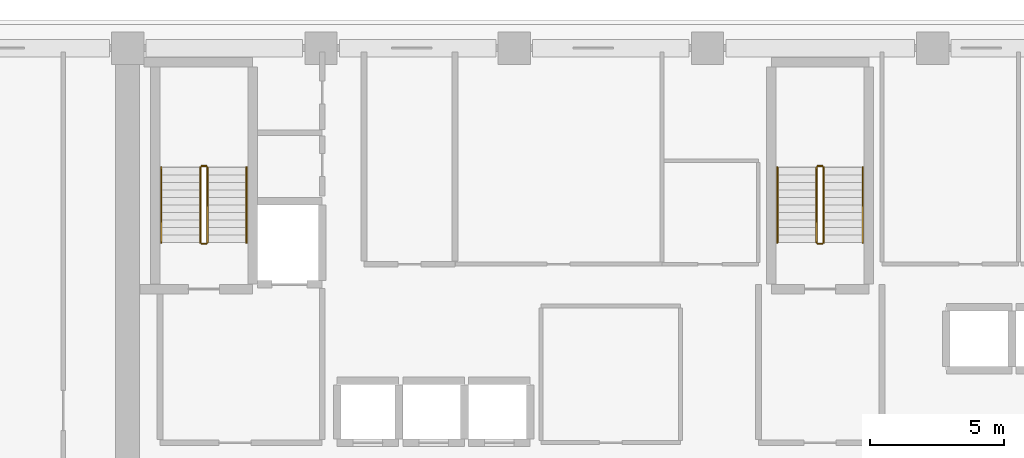
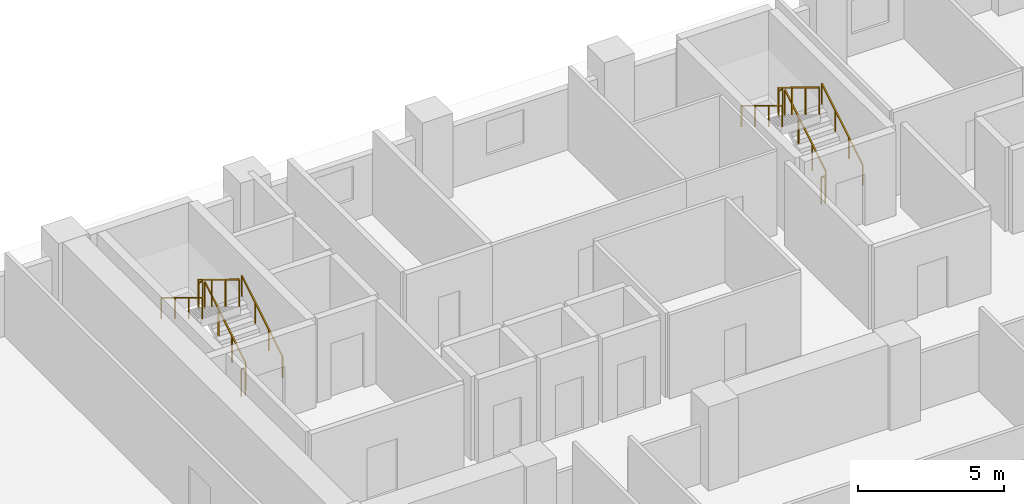
# One storey, part 12 of 14: 12 railings.
"""IFC4 building model written with IfcOpenShell, lengths in metres."""

from ifc_helpers import new_model, si_unit, direction, frame, origin, origin_2d, place, context, subcontext, project, spatial, rectangle, extrude, material, type_object, element, save


model = new_model("IFC4")

# Units and contexts
model_context = context("Model", 3, precision=1e-05, world=origin(), true_north=direction((0.0, 1.0)))
body_context = subcontext(model_context, "Body", "Model", "MODEL_VIEW")
ifc_project = project(units=[si_unit("LENGTHUNIT", "METRE"), si_unit("AREAUNIT", "SQUARE_METRE"), si_unit("VOLUMEUNIT", "CUBIC_METRE"), si_unit("PLANEANGLEUNIT", "RADIAN"), si_unit("MASSUNIT", "GRAM", prefix="KILO")], contexts=[model_context])

# Site, building, storey
site_placement = place(None, origin())
site = spatial("IfcSite", under=ifc_project, at=site_placement, CompositionType="ELEMENT")
building_placement = place(site_placement, origin())
building = spatial("IfcBuilding", under=site, at=building_placement, Name="Kaelvorn Grand Hotel", CompositionType="ELEMENT")
storey_placement = place(building_placement, frame((0.0, 0.0, 85.550048828125)))
storey = spatial("IfcBuildingStorey", under=building, at=storey_placement, Name="L19", CompositionType="ELEMENT", Elevation=85.550048828125)

# Railings
ifc_material = material(Name="Stainless Steel", Category="steel")
railing_type_1 = type_object("IfcRailingType", Name="RL-HANDRAIL-900", PredefinedType="HANDRAIL", material=ifc_material)
railing_1_placement = place(storey_placement, frame((20.6298828125, 41.760009765625, 0.17041015625)))
element("IfcRailing", 1, at=railing_1_placement, inside=storey, type_object=railing_type_1, Name="L19 ST1 stair handrail 1", PredefinedType="HANDRAIL", context=body_context, shape_type="SweptSolid", body=[
    extrude(rectangle(XDim=0.048095703125, YDim=0.048095703125, at=origin_2d()), frame((0.0, 0.0, 0.8759765625), z_axis=(0.0, 0.854169791009, 0.51999420009), x_axis=(-1.0, 0.0, 0.0)), (0.0, 0.0, 1.0), 3.278076171875),
    extrude(rectangle(XDim=0.0419921875, YDim=0.0419921875, at=origin_2d()), origin(), (0.0, 0.0, 1.0), 0.851806640625),
    extrude(rectangle(XDim=0.0419921875, YDim=0.0419921875, at=origin_2d()), frame((0.0, 0.933349609375, 0.568115234375)), (0.0, 0.0, 1.0), 0.851806640625),
    extrude(rectangle(XDim=0.0419921875, YDim=0.0419921875, at=origin_2d()), frame((0.0, 1.86669921875, 1.136474609375)), (0.0, 0.0, 1.0), 0.851806640625),
    extrude(rectangle(XDim=0.0419921875, YDim=0.0419921875, at=origin_2d()), frame((0.0, 2.800048828125, 1.70458984375)), (0.0, 0.0, 1.0), 0.851806640625),
])
railing_2_placement = place(storey_placement, frame((17.449951171875, 44.56005859375, 2.04541015625)))
element("IfcRailing", 2, at=railing_2_placement, inside=storey, type_object=railing_type_1, Name="L19 ST1 stair handrail 2", PredefinedType="HANDRAIL", context=body_context, shape_type="SweptSolid", body=[
    extrude(rectangle(XDim=0.048095703125, YDim=0.048095703125, at=origin_2d()), frame((0.0, 0.0, 0.8759765625), z_axis=(0.0, -0.854169791009, 0.51999420009), x_axis=(1.0, 0.0, 0.0)), (0.0, 0.0, 1.0), 3.278076171875),
    extrude(rectangle(XDim=0.0419921875, YDim=0.0419921875, at=origin_2d()), origin(), (0.0, 0.0, 1.0), 0.851806640625),
    extrude(rectangle(XDim=0.0419921875, YDim=0.0419921875, at=origin_2d()), frame((0.0, -0.933349609375, 0.568115234375)), (0.0, 0.0, 1.0), 0.851806640625),
    extrude(rectangle(XDim=0.0419921875, YDim=0.0419921875, at=origin_2d()), frame((0.0, -1.86669921875, 1.136474609375)), (0.0, 0.0, 1.0), 0.851806640625),
    extrude(rectangle(XDim=0.0419921875, YDim=0.0419921875, at=origin_2d()), frame((0.0, -2.800048828125, 1.70458984375)), (0.0, 0.0, 1.0), 0.851806640625),
])
railing_3_placement = place(storey_placement, frame((43.590087890625, 41.760009765625, 0.17041015625)))
element("IfcRailing", 3, at=railing_3_placement, inside=storey, type_object=railing_type_1, Name="L19 ST2 stair handrail 1", PredefinedType="HANDRAIL", context=body_context, shape_type="SweptSolid", body=[
    extrude(rectangle(XDim=0.048095703125, YDim=0.048095703125, at=origin_2d()), frame((0.0, 0.0, 0.8759765625), z_axis=(0.0, 0.854169791009, 0.51999420009), x_axis=(-1.0, 0.0, 0.0)), (0.0, 0.0, 1.0), 3.278076171875),
    extrude(rectangle(XDim=0.0419921875, YDim=0.0419921875, at=origin_2d()), origin(), (0.0, 0.0, 1.0), 0.851806640625),
    extrude(rectangle(XDim=0.0419921875, YDim=0.0419921875, at=origin_2d()), frame((0.0, 0.933349609375, 0.568115234375)), (0.0, 0.0, 1.0), 0.851806640625),
    extrude(rectangle(XDim=0.0419921875, YDim=0.0419921875, at=origin_2d()), frame((0.0, 1.86669921875, 1.136474609375)), (0.0, 0.0, 1.0), 0.851806640625),
    extrude(rectangle(XDim=0.0419921875, YDim=0.0419921875, at=origin_2d()), frame((0.0, 2.800048828125, 1.70458984375)), (0.0, 0.0, 1.0), 0.851806640625),
])
railing_4_placement = place(storey_placement, frame((40.409912109375, 44.56005859375, 2.04541015625)))
element("IfcRailing", 4, at=railing_4_placement, inside=storey, type_object=railing_type_1, Name="L19 ST2 stair handrail 2", PredefinedType="HANDRAIL", context=body_context, shape_type="SweptSolid", body=[
    extrude(rectangle(XDim=0.048095703125, YDim=0.048095703125, at=origin_2d()), frame((0.0, 0.0, 0.8759765625), z_axis=(0.0, -0.854169791009, 0.51999420009), x_axis=(1.0, 0.0, 0.0)), (0.0, 0.0, 1.0), 3.278076171875),
    extrude(rectangle(XDim=0.0419921875, YDim=0.0419921875, at=origin_2d()), origin(), (0.0, 0.0, 1.0), 0.851806640625),
    extrude(rectangle(XDim=0.0419921875, YDim=0.0419921875, at=origin_2d()), frame((0.0, -0.933349609375, 0.568115234375)), (0.0, 0.0, 1.0), 0.851806640625),
    extrude(rectangle(XDim=0.0419921875, YDim=0.0419921875, at=origin_2d()), frame((0.0, -1.86669921875, 1.136474609375)), (0.0, 0.0, 1.0), 0.851806640625),
    extrude(rectangle(XDim=0.0419921875, YDim=0.0419921875, at=origin_2d()), frame((0.0, -2.800048828125, 1.70458984375)), (0.0, 0.0, 1.0), 0.851806640625),
])
railing_type_2 = type_object("IfcRailingType", Name="RL-STAIR-GUARD-1150", PredefinedType="BALUSTRADE", material=ifc_material)
railing_5_placement = place(storey_placement, frame((19.169921875, 41.760009765625, 0.17041015625)))
element("IfcRailing", 5, at=railing_5_placement, inside=storey, type_object=railing_type_2, Name="L19 ST1 stair guard 1", PredefinedType="BALUSTRADE", context=body_context, shape_type="SweptSolid", body=[
    extrude(rectangle(XDim=0.048095703125, YDim=0.048095703125, at=origin_2d()), frame((0.0, 0.0, 1.1259765625), z_axis=(0.0, 0.854169791009, 0.51999420009), x_axis=(-1.0, 0.0, 0.0)), (0.0, 0.0, 1.0), 3.278076171875),
    extrude(rectangle(XDim=0.0419921875, YDim=0.0419921875, at=origin_2d()), origin(), (0.0, 0.0, 1.0), 1.101806640625),
    extrude(rectangle(XDim=0.0419921875, YDim=0.0419921875, at=origin_2d()), frame((0.0, 0.933349609375, 0.568115234375)), (0.0, 0.0, 1.0), 1.101806640625),
    extrude(rectangle(XDim=0.0419921875, YDim=0.0419921875, at=origin_2d()), frame((0.0, 1.86669921875, 1.136474609375)), (0.0, 0.0, 1.0), 1.101806640625),
    extrude(rectangle(XDim=0.0419921875, YDim=0.0419921875, at=origin_2d()), frame((0.0, 2.800048828125, 1.70458984375)), (0.0, 0.0, 1.0), 1.101806640625),
])
railing_6_placement = place(storey_placement, frame((19.1201171875, 44.610107421875, 1.875)))
element("IfcRailing", 6, at=railing_6_placement, inside=storey, type_object=railing_type_2, Name="L19 ST1 stair guard 2", PredefinedType="BALUSTRADE", context=body_context, shape_type="SweptSolid", body=[
    extrude(rectangle(XDim=0.048095703125, YDim=0.048095703125, at=origin_2d()), frame((0.0, 0.0, 1.1259765625), z_axis=(-1.0, 0.0, 0.0), x_axis=(0.0, -1.0, 0.0)), (0.0, 0.0, 1.0), 0.16015625),
    extrude(rectangle(XDim=0.0419921875, YDim=0.0419921875, at=origin_2d()), origin(), (0.0, 0.0, 1.0), 1.101806640625),
    extrude(rectangle(XDim=0.0419921875, YDim=0.0419921875, at=origin_2d()), frame((-0.16015625, 0.0, 0.0)), (0.0, 0.0, 1.0), 1.101806640625),
])
railing_7_placement = place(storey_placement, frame((18.909912109375, 44.56005859375, 2.04541015625)))
element("IfcRailing", 7, at=railing_7_placement, inside=storey, type_object=railing_type_2, Name="L19 ST1 stair guard 3", PredefinedType="BALUSTRADE", context=body_context, shape_type="SweptSolid", body=[
    extrude(rectangle(XDim=0.048095703125, YDim=0.048095703125, at=origin_2d()), frame((0.0, 0.0, 1.1259765625), z_axis=(0.0, -0.854169791009, 0.51999420009), x_axis=(1.0, 0.0, 0.0)), (0.0, 0.0, 1.0), 3.278076171875),
    extrude(rectangle(XDim=0.0419921875, YDim=0.0419921875, at=origin_2d()), origin(), (0.0, 0.0, 1.0), 1.101806640625),
    extrude(rectangle(XDim=0.0419921875, YDim=0.0419921875, at=origin_2d()), frame((0.0, -0.933349609375, 0.568115234375)), (0.0, 0.0, 1.0), 1.101806640625),
    extrude(rectangle(XDim=0.0419921875, YDim=0.0419921875, at=origin_2d()), frame((0.0, -1.86669921875, 1.136474609375)), (0.0, 0.0, 1.0), 1.101806640625),
    extrude(rectangle(XDim=0.0419921875, YDim=0.0419921875, at=origin_2d()), frame((0.0, -2.800048828125, 1.70458984375)), (0.0, 0.0, 1.0), 1.101806640625),
])
railing_8_placement = place(storey_placement, frame((19.1201171875, 41.7099609375, 0.0)))
element("IfcRailing", 8, at=railing_8_placement, inside=storey, type_object=railing_type_2, Name="L19 ST1 stair guard 4", PredefinedType="BALUSTRADE", context=body_context, shape_type="SweptSolid", body=[
    extrude(rectangle(XDim=0.048095703125, YDim=0.048095703125, at=origin_2d()), frame((0.0, 0.0, 1.1259765625), z_axis=(-1.0, 0.0, 0.0), x_axis=(0.0, -1.0, 0.0)), (0.0, 0.0, 1.0), 0.16015625),
    extrude(rectangle(XDim=0.0419921875, YDim=0.0419921875, at=origin_2d()), origin(), (0.0, 0.0, 1.0), 1.101806640625),
    extrude(rectangle(XDim=0.0419921875, YDim=0.0419921875, at=origin_2d()), frame((-0.16015625, 0.0, 0.0)), (0.0, 0.0, 1.0), 1.101806640625),
])
railing_9_placement = place(storey_placement, frame((42.1298828125, 41.760009765625, 0.17041015625)))
element("IfcRailing", 9, at=railing_9_placement, inside=storey, type_object=railing_type_2, Name="L19 ST2 stair guard 1", PredefinedType="BALUSTRADE", context=body_context, shape_type="SweptSolid", body=[
    extrude(rectangle(XDim=0.048095703125, YDim=0.048095703125, at=origin_2d()), frame((0.0, 0.0, 1.1259765625), z_axis=(0.0, 0.854169791009, 0.51999420009), x_axis=(-1.0, 0.0, 0.0)), (0.0, 0.0, 1.0), 3.278076171875),
    extrude(rectangle(XDim=0.0419921875, YDim=0.0419921875, at=origin_2d()), origin(), (0.0, 0.0, 1.0), 1.101806640625),
    extrude(rectangle(XDim=0.0419921875, YDim=0.0419921875, at=origin_2d()), frame((0.0, 0.933349609375, 0.568115234375)), (0.0, 0.0, 1.0), 1.101806640625),
    extrude(rectangle(XDim=0.0419921875, YDim=0.0419921875, at=origin_2d()), frame((0.0, 1.86669921875, 1.136474609375)), (0.0, 0.0, 1.0), 1.101806640625),
    extrude(rectangle(XDim=0.0419921875, YDim=0.0419921875, at=origin_2d()), frame((0.0, 2.800048828125, 1.70458984375)), (0.0, 0.0, 1.0), 1.101806640625),
])
railing_10_placement = place(storey_placement, frame((42.080078125, 44.610107421875, 1.875)))
element("IfcRailing", 10, at=railing_10_placement, inside=storey, type_object=railing_type_2, Name="L19 ST2 stair guard 2", PredefinedType="BALUSTRADE", context=body_context, shape_type="SweptSolid", body=[
    extrude(rectangle(XDim=0.048095703125, YDim=0.048095703125, at=origin_2d()), frame((0.0, 0.0, 1.1259765625), z_axis=(-1.0, 0.0, 0.0), x_axis=(0.0, -1.0, 0.0)), (0.0, 0.0, 1.0), 0.16015625),
    extrude(rectangle(XDim=0.0419921875, YDim=0.0419921875, at=origin_2d()), origin(), (0.0, 0.0, 1.0), 1.101806640625),
    extrude(rectangle(XDim=0.0419921875, YDim=0.0419921875, at=origin_2d()), frame((-0.16015625, 0.0, 0.0)), (0.0, 0.0, 1.0), 1.101806640625),
])
railing_11_placement = place(storey_placement, frame((41.8701171875, 44.56005859375, 2.04541015625)))
element("IfcRailing", 11, at=railing_11_placement, inside=storey, type_object=railing_type_2, Name="L19 ST2 stair guard 3", PredefinedType="BALUSTRADE", context=body_context, shape_type="SweptSolid", body=[
    extrude(rectangle(XDim=0.048095703125, YDim=0.048095703125, at=origin_2d()), frame((0.0, 0.0, 1.1259765625), z_axis=(0.0, -0.854169791009, 0.51999420009), x_axis=(1.0, 0.0, 0.0)), (0.0, 0.0, 1.0), 3.278076171875),
    extrude(rectangle(XDim=0.0419921875, YDim=0.0419921875, at=origin_2d()), origin(), (0.0, 0.0, 1.0), 1.101806640625),
    extrude(rectangle(XDim=0.0419921875, YDim=0.0419921875, at=origin_2d()), frame((0.0, -0.933349609375, 0.568115234375)), (0.0, 0.0, 1.0), 1.101806640625),
    extrude(rectangle(XDim=0.0419921875, YDim=0.0419921875, at=origin_2d()), frame((0.0, -1.86669921875, 1.136474609375)), (0.0, 0.0, 1.0), 1.101806640625),
    extrude(rectangle(XDim=0.0419921875, YDim=0.0419921875, at=origin_2d()), frame((0.0, -2.800048828125, 1.70458984375)), (0.0, 0.0, 1.0), 1.101806640625),
])
railing_12_placement = place(storey_placement, frame((42.080078125, 41.7099609375, 0.0)))
element("IfcRailing", 12, at=railing_12_placement, inside=storey, type_object=railing_type_2, Name="L19 ST2 stair guard 4", PredefinedType="BALUSTRADE", context=body_context, shape_type="SweptSolid", body=[
    extrude(rectangle(XDim=0.048095703125, YDim=0.048095703125, at=origin_2d()), frame((0.0, 0.0, 1.1259765625), z_axis=(-1.0, 0.0, 0.0), x_axis=(0.0, -1.0, 0.0)), (0.0, 0.0, 1.0), 0.16015625),
    extrude(rectangle(XDim=0.0419921875, YDim=0.0419921875, at=origin_2d()), origin(), (0.0, 0.0, 1.0), 1.101806640625),
    extrude(rectangle(XDim=0.0419921875, YDim=0.0419921875, at=origin_2d()), frame((-0.16015625, 0.0, 0.0)), (0.0, 0.0, 1.0), 1.101806640625),
])

save(model, "model.ifc")
